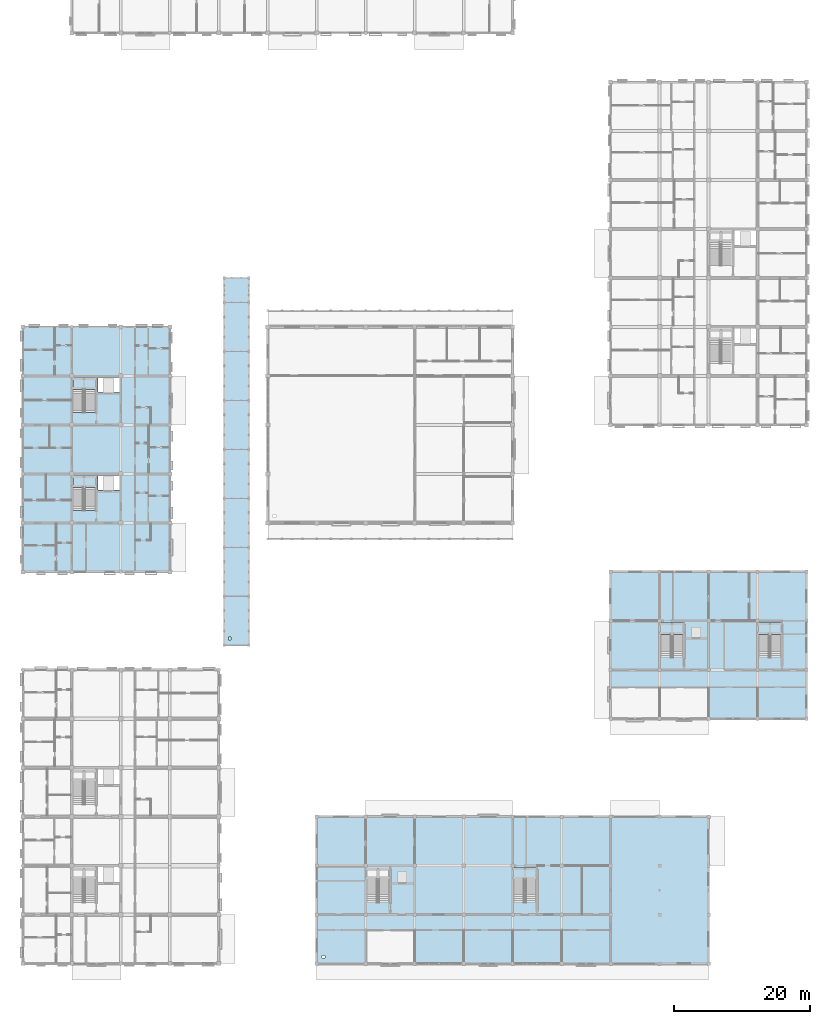
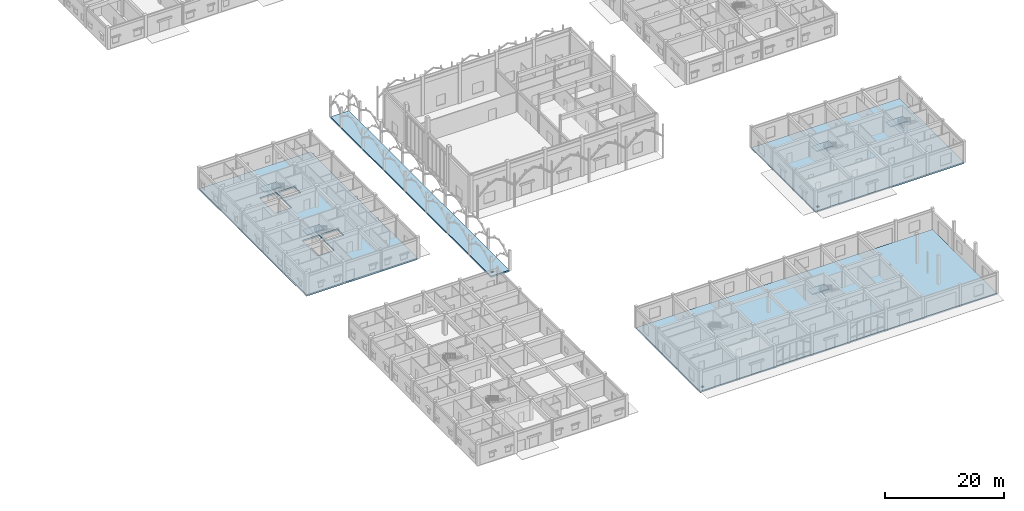
# One storey, part 61 of 138: 9 slabs, 5 elements without a shape of their own.
"""IFC4 building model written with IfcOpenShell, lengths in metres."""

from ifc_helpers import new_model, si_unit, direction, frame, origin, place, context, subcontext, project, spatial, polyline, outline, extrude, material, layer, layer_set, type_object, element, aggregate, save


model = new_model("IFC4")

# Units and contexts
model_context = context("Model", 3, precision=1e-05, world=origin(), true_north=direction((0.0, 1.0)))
body_context = subcontext(model_context, "Body", "Model", "MODEL_VIEW")
ifc_project = project(units=[si_unit("LENGTHUNIT", "METRE"), si_unit("AREAUNIT", "SQUARE_METRE"), si_unit("VOLUMEUNIT", "CUBIC_METRE"), si_unit("PLANEANGLEUNIT", "RADIAN"), si_unit("MASSUNIT", "GRAM", prefix="KILO"), si_unit("THERMODYNAMICTEMPERATUREUNIT", "KELVIN"), si_unit("POWERUNIT", "WATT")], contexts=[model_context])

# Site, building, storey
site_placement = place(None, origin())
site = spatial("IfcSite", under=ifc_project, at=site_placement, CompositionType="ELEMENT")
building_placement = place(site_placement, origin())
building = spatial("IfcBuilding", under=site, at=building_placement, Name="Tavuni Mirador Residences", CompositionType="ELEMENT")
storey_placement = place(building_placement, origin())
storey = spatial("IfcBuildingStorey", under=building, at=storey_placement, Name="L00", CompositionType="ELEMENT", Elevation=0.0)

# Slabs
ifc_material_1 = material(Name="In-situ concrete C35/45", Category="concrete")
ifc_layer_1 = layer(ifc_material_1, 0.300048828125, Name="In-situ concrete C35/45", Category="concrete")
ifc_layer_set_1 = layer_set([ifc_layer_1], Name="In-situ concrete C35/45")
slab_type_1 = type_object("IfcSlabType", Name="SLT-BASE300", PredefinedType="BASESLAB", material=ifc_layer_set_1)
slab_1_placement = place(storey_placement, frame((0.0, 0.0, -0.300048828125)))
element("IfcSlab", 1, at=slab_1_placement, inside=storey, type_object=slab_type_1, Name="SLB-PAV-NURS-L00", PredefinedType="BASESLAB", context=body_context, shape_type="SweptSolid", body=[
    extrude(outline(polyline([(90.0, 43.199951171875), (118.800048828125, 43.199951171875), (118.800048828125, 64.800048828125), (90.0, 64.800048828125), (90.0, 43.199951171875)]), holes=[polyline([(90.800048828125, 44.0), (91.199951171875, 44.0), (91.199951171875, 44.39990234375), (90.800048828125, 44.39990234375), (90.800048828125, 44.0)])]), origin(), (0.0, 0.0, 1.0), 0.300048828125),
])
slab_2_placement = place(storey_placement, frame((0.0, 0.0, -0.300048828125)))
element("IfcSlab", 2, at=slab_2_placement, inside=storey, type_object=slab_type_1, Name="SLB-PAV-SHOP-L00", PredefinedType="BASESLAB", context=body_context, shape_type="SweptSolid", body=[
    extrude(outline(polyline([(46.800048828125, 7.199951171875), (104.39990234375, 7.199951171875), (104.39990234375, 28.800048828125), (46.800048828125, 28.800048828125), (46.800048828125, 7.199951171875)]), holes=[polyline([(47.60009765625, 8.0), (48.0, 8.0), (48.0, 8.39990234375), (47.60009765625, 8.39990234375), (47.60009765625, 8.0)])]), origin(), (0.0, 0.0, 1.0), 0.300048828125),
])
ifc_layer_2 = layer(ifc_material_1, 0.320068359375, Name="In-situ concrete C35/45", Category="concrete")
ifc_layer_set_2 = layer_set([ifc_layer_2], Name="In-situ concrete C35/45")
slab_type_2 = type_object("IfcSlabType", Name="SLT-FLR320", PredefinedType="FLOOR", material=ifc_layer_set_2)
slab_3_placement = place(storey_placement, frame((0.0, 0.0, -0.320068359375)))
element("IfcSlab", 3, at=slab_3_placement, inside=storey, type_object=slab_type_2, Name="SLB-BLK-B-L00", PredefinedType="FLOOR", context=body_context, shape_type="SweptSolid", body=[
    extrude(outline(polyline([(3.60009765625, 64.800048828125), (25.199951171875, 64.800048828125), (25.199951171875, 100.800048828125), (3.60009765625, 100.800048828125), (3.60009765625, 64.800048828125)]), holes=[polyline([(10.9599609375, 73.80810546875), (14.239990234375, 73.80810546875), (14.239990234375, 78.9599609375), (10.9599609375, 78.9599609375), (10.9599609375, 73.80810546875)]), polyline([(14.6201171875, 76.820068359375), (17.780029296875, 76.820068359375), (17.780029296875, 78.97998046875), (14.6201171875, 78.97998046875), (14.6201171875, 76.820068359375)]), polyline([(10.9599609375, 88.2080078125), (14.239990234375, 88.2080078125), (14.239990234375, 93.360107421875), (10.9599609375, 93.360107421875), (10.9599609375, 88.2080078125)]), polyline([(14.6201171875, 91.219970703125), (17.780029296875, 91.219970703125), (17.780029296875, 93.3798828125), (14.6201171875, 93.3798828125), (14.6201171875, 91.219970703125)])]), origin(), (0.0, 0.0, 1.0), 0.320068359375),
])

# Stair, slab
ifc_material_2 = material(Name="Precast concrete C40/50", Category="concrete")
stair_type = type_object("IfcStairType", Name="STT-L00", PredefinedType="HALF_TURN_STAIR", material=ifc_material_2)
stair_1_placement = place(storey_placement, origin())
stair_1 = element("IfcStair", 4, at=stair_1_placement, inside=storey, type_object=stair_type, Name="Protected exit stair ST3 (L00)", PredefinedType="HALF_TURN_STAIR")
ifc_layer_3 = layer(ifc_material_2, 0.179931640625, Name="Precast concrete C40/50", Category="concrete")
ifc_layer_set_3 = layer_set([ifc_layer_3], Name="Precast concrete C40/50")
slab_type_3 = type_object("IfcSlabType", Name="SLT-LND180", PredefinedType="LANDING", material=ifc_layer_set_3)
slab_4_placement = place(storey_placement, frame((0.0, 0.0, 2.070068359375)))
slab_4 = element("IfcSlab", 5, at=slab_4_placement, type_object=slab_type_3, Name="ST3 landing 1", PredefinedType="LANDING", context=body_context, shape_type="SweptSolid", body=[
    extrude(outline(polyline([(10.93994140625, 77.2119140625), (14.260009765625, 77.2119140625), (14.260009765625, 78.89990234375), (10.93994140625, 78.89990234375), (10.93994140625, 77.2119140625)])), origin(), (0.0, 0.0, 1.0), 0.179931640625),
])
aggregate(stair_1, [slab_4])

stair_2_placement = place(storey_placement, origin())
stair_2 = element("IfcStair", 6, at=stair_2_placement, inside=storey, type_object=stair_type, Name="Protected exit stair ST4 (L00)", PredefinedType="HALF_TURN_STAIR")
slab_5_placement = place(storey_placement, frame((0.0, 0.0, 2.070068359375)))
slab_5 = element("IfcSlab", 7, at=slab_5_placement, type_object=slab_type_3, Name="ST4 landing 1", PredefinedType="LANDING", context=body_context, shape_type="SweptSolid", body=[
    extrude(outline(polyline([(10.93994140625, 91.612060546875), (14.260009765625, 91.612060546875), (14.260009765625, 93.300048828125), (10.93994140625, 93.300048828125), (10.93994140625, 91.612060546875)])), origin(), (0.0, 0.0, 1.0), 0.179931640625),
])
aggregate(stair_2, [slab_5])

stair_3_placement = place(storey_placement, origin())
stair_3 = element("IfcStair", 8, at=stair_3_placement, inside=storey, type_object=stair_type, Name="Protected exit stair ST10 (L00)", PredefinedType="HALF_TURN_STAIR")
slab_6_placement = place(storey_placement, frame((0.0, 0.0, 2.070068359375)))
slab_6 = element("IfcSlab", 9, at=slab_6_placement, type_object=slab_type_3, Name="ST10 landing 1", PredefinedType="LANDING", context=body_context, shape_type="SweptSolid", body=[
    extrude(outline(polyline([(75.739990234375, 19.612060546875), (79.06005859375, 19.612060546875), (79.06005859375, 21.300048828125), (75.739990234375, 21.300048828125), (75.739990234375, 19.612060546875)])), origin(), (0.0, 0.0, 1.0), 0.179931640625),
])
aggregate(stair_3, [slab_6])

stair_4_placement = place(storey_placement, origin())
stair_4 = element("IfcStair", 10, at=stair_4_placement, inside=storey, type_object=stair_type, Name="Protected exit stair ST11 (L00)", PredefinedType="HALF_TURN_STAIR")
slab_7_placement = place(storey_placement, frame((0.0, 0.0, 2.070068359375)))
slab_7 = element("IfcSlab", 11, at=slab_7_placement, type_object=slab_type_3, Name="ST11 landing 1", PredefinedType="LANDING", context=body_context, shape_type="SweptSolid", body=[
    extrude(outline(polyline([(97.340087890625, 55.612060546875), (100.659912109375, 55.612060546875), (100.659912109375, 57.300048828125), (97.340087890625, 57.300048828125), (97.340087890625, 55.612060546875)])), origin(), (0.0, 0.0, 1.0), 0.179931640625),
])
aggregate(stair_4, [slab_7])

stair_5_placement = place(storey_placement, origin())
stair_5 = element("IfcStair", 12, at=stair_5_placement, inside=storey, type_object=stair_type, Name="Protected exit stair ST12 (L00)", PredefinedType="HALF_TURN_STAIR")
slab_8_placement = place(storey_placement, frame((0.0, 0.0, 2.070068359375)))
slab_8 = element("IfcSlab", 13, at=slab_8_placement, type_object=slab_type_3, Name="ST12 landing 1", PredefinedType="LANDING", context=body_context, shape_type="SweptSolid", body=[
    extrude(outline(polyline([(111.739990234375, 55.612060546875), (115.06005859375, 55.612060546875), (115.06005859375, 57.300048828125), (111.739990234375, 57.300048828125), (111.739990234375, 55.612060546875)])), origin(), (0.0, 0.0, 1.0), 0.179931640625),
])
aggregate(stair_5, [slab_8])

# Slab
ifc_material_3 = material(Name="Prestressed concrete C45/55", Category="concrete")
ifc_layer_4 = layer(ifc_material_3, 0.219970703125, Name="Prestressed concrete C45/55", Category="concrete")
ifc_layer_set_4 = layer_set([ifc_layer_4], Name="Prestressed concrete C45/55")
slab_type_4 = type_object("IfcSlabType", Name="SLT-TER220", PredefinedType="FLOOR", material=ifc_layer_set_4)
slab_9_placement = place(storey_placement, frame((0.0, 0.0, -0.300048828125)))
element("IfcSlab", 14, at=slab_9_placement, inside=storey, type_object=slab_type_4, Name="SLB-PAV-COL-L00", PredefinedType="FLOOR", context=body_context, shape_type="SweptSolid", body=[
    extrude(outline(polyline([(33.199951171875, 54.0), (36.800048828125, 54.0), (36.800048828125, 108.0), (33.199951171875, 108.0), (33.199951171875, 54.0)]), holes=[polyline([(33.800048828125, 54.800048828125), (34.199951171875, 54.800048828125), (34.199951171875, 55.199951171875), (33.800048828125, 55.199951171875), (33.800048828125, 54.800048828125)])]), origin(), (0.0, 0.0, 1.0), 0.300048828125),
])

save(model, "model.ifc")
